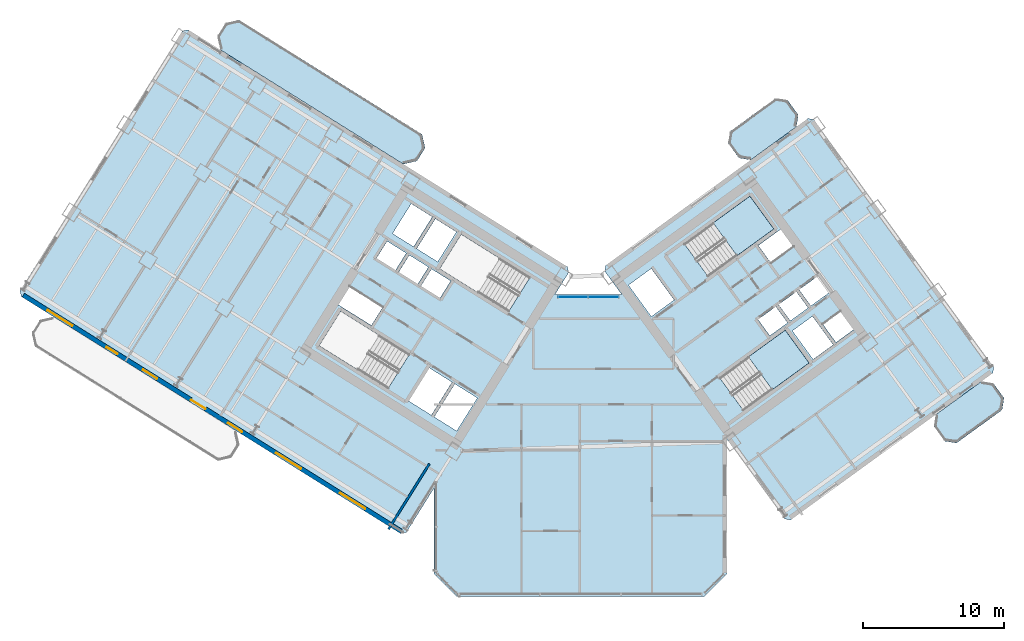
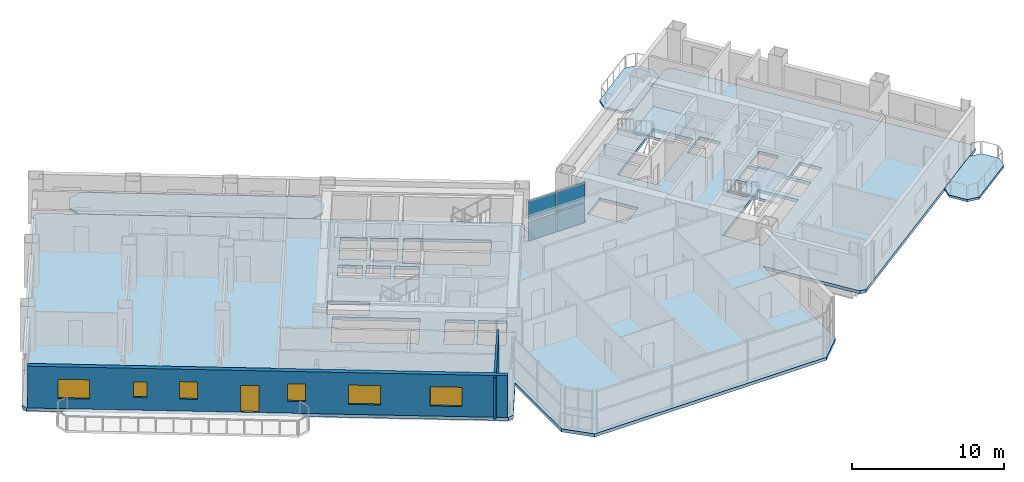
# One storey, part 14 of 24: 6 slabs, 6 windows, 4 plates, 2 walls, 1 door, 7 openings, 3 elements without a shape of their own.
"""IFC4 building model written with IfcOpenShell, lengths in metres."""

from ifc_helpers import new_model, si_unit, direction, frame, frame_2d, origin, origin_2d, place, context, subcontext, project, spatial, polyline, rectangle, outline, extrude, source, transform, mapped, material, layer, layer_set, type_object, element, fill, aggregate, save


model = new_model("IFC4")

# Units and contexts
model_context = context("Model", 3, precision=1e-05, world=origin(), true_north=direction((0.0, 1.0)))
body_context = subcontext(model_context, "Body", "Model", "MODEL_VIEW")
ifc_project = project(units=[si_unit("LENGTHUNIT", "METRE"), si_unit("AREAUNIT", "SQUARE_METRE"), si_unit("VOLUMEUNIT", "CUBIC_METRE"), si_unit("PLANEANGLEUNIT", "RADIAN"), si_unit("MASSUNIT", "GRAM", prefix="KILO")], contexts=[model_context])

# Site, building, storey
site_placement = place(None, origin())
site = spatial("IfcSite", under=ifc_project, at=site_placement, CompositionType="ELEMENT")
building_placement = place(site_placement, origin())
building = spatial("IfcBuilding", under=site, at=building_placement, Name="Tlacorven Tower", CompositionType="ELEMENT")
storey_placement = place(building_placement, frame((0.0, 0.0, 38.39990234375)))
storey = spatial("IfcBuildingStorey", under=building, at=storey_placement, Name="L09", CompositionType="ELEMENT", Elevation=38.39990234375)

# Slabs
ifc_material_1 = material(Name="Precast concrete C45/55", Category="concrete")
ifc_layer_1 = layer(ifc_material_1, 0.179931640625)
ifc_layer_set_1 = layer_set([ifc_layer_1], Name="Precast concrete C45/55")
slab_type_1 = type_object("IfcSlabType", Name="SL-BAL-180", PredefinedType="USERDEFINED", material=ifc_layer_set_1)
slab_1_placement = place(storey_placement, frame((0.0, 0.0, -0.179931640625)))
element("IfcSlab", 1, at=slab_1_placement, inside=storey, type_object=slab_type_1, Name="L09 West Wing Balcony Ribbon IN", ObjectType="BALCONY SLAB", PredefinedType="USERDEFINED", context=body_context, shape_type="SweptSolid", body=[
    extrude(outline(polyline([(30.756591796875, 34.57763671875), (17.781494140625, 42.685546875), (16.81689453125, 42.462890625), (16.236572265625, 41.5341796875), (16.459228515625, 40.569580078125), (29.434326171875, 32.4619140625), (30.39892578125, 32.6845703125), (30.979248046875, 33.613037109375), (30.756591796875, 34.57763671875)])), origin(), (0.0, 0.0, 1.0), 0.179931640625),
])
slab_2_placement = place(storey_placement, frame((0.0, 0.0, -0.179931640625)))
element("IfcSlab", 2, at=slab_2_placement, inside=storey, type_object=slab_type_1, Name="L09 East Wing Balcony Ribbon OUT", ObjectType="BALCONY SLAB", PredefinedType="USERDEFINED", context=body_context, shape_type="SweptSolid", body=[
    extrude(outline(polyline([(68.669921875, 12.678955078125), (71.906005859375, 15.0302734375), (72.03857421875, 15.8681640625), (71.27734375, 16.916015625), (70.439453125, 17.048583984375), (67.203369140625, 14.697509765625), (67.070556640625, 13.859375), (67.831787109375, 12.811767578125), (68.669921875, 12.678955078125)])), origin(), (0.0, 0.0, 1.0), 0.179931640625),
])
slab_3_placement = place(storey_placement, frame((0.0, 0.0, -0.179931640625)))
element("IfcSlab", 3, at=slab_3_placement, inside=storey, type_object=slab_type_1, Name="L09 East Wing Balcony Ribbon IN", ObjectType="BALCONY SLAB", PredefinedType="USERDEFINED", context=body_context, shape_type="SweptSolid", body=[
    extrude(outline(polyline([(54.078125, 32.762939453125), (57.314208984375, 35.114013671875), (57.44677734375, 35.9521484375), (56.685791015625, 36.999755859375), (55.84765625, 37.132568359375), (52.611572265625, 34.78125), (52.478759765625, 33.943359375), (53.239990234375, 32.8955078125), (54.078125, 32.762939453125)])), origin(), (0.0, 0.0, 1.0), 0.179931640625),
])

# Stair, slab
ifc_material_2 = material(Name="Concrete C40/50", Category="concrete")
stair_type = type_object("IfcStairType", Name="ST-CORE-DLG", PredefinedType="HALF_TURN_STAIR", material=ifc_material_2)
stair_1_placement = place(storey_placement, origin())
stair_1 = element("IfcStair", 4, at=stair_1_placement, inside=storey, type_object=stair_type, Name="L09 Protected Exit Stair East 1", PredefinedType="HALF_TURN_STAIR")
ifc_layer_2 = layer(ifc_material_2, 0.199951171875)
ifc_layer_set_2 = layer_set([ifc_layer_2], Name="Concrete C40/50")
slab_type_2 = type_object("IfcSlabType", Name="SL-LND-200", PredefinedType="LANDING", material=ifc_layer_set_2)
slab_4_placement = place(storey_placement, frame((0.0, 0.0, 1.60009765625)))
slab_4 = element("IfcSlab", 5, at=slab_4_placement, type_object=slab_type_2, Name="ST-E1 landing 1", PredefinedType="LANDING", context=body_context, shape_type="SweptSolid", body=[
    extrude(outline(polyline([(53.09765625, 25.962890625), (55.7109375, 27.861572265625), (54.01806640625, 30.19140625), (51.40478515625, 28.29296875), (53.09765625, 25.962890625)])), origin(), (0.0, 0.0, 1.0), 0.199951171875),
])
aggregate(stair_1, [slab_4])

stair_2_placement = place(storey_placement, origin())
stair_2 = element("IfcStair", 6, at=stair_2_placement, inside=storey, type_object=stair_type, Name="L09 Protected Exit Stair East 2", PredefinedType="HALF_TURN_STAIR")
slab_5_placement = place(storey_placement, frame((0.0, 0.0, 1.60009765625)))
slab_5 = element("IfcSlab", 7, at=slab_5_placement, type_object=slab_type_2, Name="ST-E2 landing 1", PredefinedType="LANDING", context=body_context, shape_type="SweptSolid", body=[
    extrude(outline(polyline([(55.601806640625, 16.4599609375), (58.21484375, 18.3583984375), (56.52197265625, 20.6884765625), (53.908935546875, 18.789794921875), (55.601806640625, 16.4599609375)])), origin(), (0.0, 0.0, 1.0), 0.199951171875),
])
aggregate(stair_2, [slab_5])

# Slab
ifc_layer_3 = layer(ifc_material_2, 0.25)
ifc_layer_set_3 = layer_set([ifc_layer_3], Name="Concrete C40/50")
slab_type_3 = type_object("IfcSlabType", Name="SL-TWR-250", PredefinedType="FLOOR", material=ifc_layer_set_3)
slab_6_placement = place(storey_placement, frame((0.0, 0.0, -0.25)))
element("IfcSlab", 8, at=slab_6_placement, inside=storey, type_object=slab_type_3, Name="L09 Boomerang Tower Floor Slab", PredefinedType="FLOOR", context=body_context, shape_type="SweptSolid", body=[
    extrude(outline(polyline([(52.39990234375, 3.39990234375), (50.800048828125, 1.800048828125), (33.199951171875, 1.800048828125), (31.60009765625, 3.39990234375), (31.60009765625, 9.470703125), (29.652587890625, 6.35400390625), (29.2392578125, 6.258544921875), (2.339111328125, 23.067626953125), (2.24365234375, 23.481201171875), (13.75341796875, 41.900634765625), (14.1669921875, 41.99609375), (41.06689453125, 25.18701171875), (41.162353515625, 24.773681640625), (40.178955078125, 23.199951171875), (44.932373046875, 23.199951171875), (43.723876953125, 24.86328125), (43.790283203125, 25.2822265625), (58.1259765625, 35.69775390625), (58.545166015625, 35.63134765625), (71.311767578125, 18.0595703125), (71.245361328125, 17.640380859375), (56.90966796875, 7.224853515625), (56.49072265625, 7.291259765625), (52.39990234375, 12.921630859375), (52.39990234375, 3.39990234375)]), holes=[polyline([(29.865478515625, 18.979736328125), (24.9892578125, 22.02685546875), (23.463134765625, 19.58447265625), (28.33935546875, 16.537353515625), (29.865478515625, 18.979736328125)]), polyline([(38.4169921875, 24.4375), (33.540771484375, 27.484375), (32.0146484375, 25.0419921875), (36.890869140625, 21.9951171875), (38.4169921875, 24.4375)]), polyline([(51.05908203125, 24.481689453125), (55.7109375, 27.861572265625), (54.01806640625, 30.19140625), (49.3662109375, 26.811767578125), (51.05908203125, 24.481689453125)]), polyline([(53.56298828125, 14.978759765625), (58.21484375, 18.3583984375), (56.52197265625, 20.6884765625), (51.8701171875, 17.30859375), (53.56298828125, 14.978759765625)]), polyline([(34.682373046875, 15.87548828125), (33.088134765625, 16.871826171875), (31.62548828125, 14.531005859375), (33.2197265625, 13.534912109375), (34.682373046875, 15.87548828125)]), polyline([(32.884521484375, 16.9990234375), (31.2392578125, 18.02685546875), (29.77685546875, 15.686279296875), (31.421875, 14.658203125), (32.884521484375, 16.9990234375)]), polyline([(47.0234375, 21.648681640625), (48.6416015625, 22.82421875), (47.019287109375, 25.05712890625), (45.401123046875, 23.881591796875), (47.0234375, 21.648681640625)]), polyline([(33.197265625, 27.65185546875), (31.704833984375, 28.58447265625), (30.3798828125, 26.46435546875), (31.87255859375, 25.53173828125), (33.197265625, 27.65185546875)]), polyline([(31.484375, 28.722412109375), (29.99169921875, 29.655029296875), (28.6669921875, 27.534912109375), (30.159423828125, 26.602294921875), (31.484375, 28.722412109375)]), polyline([(32.794921875, 24.17724609375), (31.43798828125, 25.025146484375), (30.685546875, 23.82080078125), (32.042236328125, 22.972900390625), (32.794921875, 24.17724609375)]), polyline([(31.217529296875, 25.162841796875), (29.860595703125, 26.0107421875), (29.108154296875, 24.806396484375), (30.465087890625, 23.958740234375), (31.217529296875, 25.162841796875)]), polyline([(29.64013671875, 26.1484375), (28.283203125, 26.996337890625), (27.53076171875, 25.792236328125), (28.8876953125, 24.9443359375), (29.64013671875, 26.1484375)]), polyline([(55.427734375, 20.288818359375), (56.68994140625, 21.205810546875), (55.855224609375, 22.354736328125), (54.59326171875, 21.437744140625), (55.427734375, 20.288818359375)]), polyline([(56.884033203125, 21.346923828125), (58.146240234375, 22.263916015625), (57.3115234375, 23.41259765625), (56.04931640625, 22.495849609375), (56.884033203125, 21.346923828125)]), polyline([(58.34033203125, 22.405029296875), (59.602294921875, 23.322021484375), (58.767578125, 24.470703125), (57.505615234375, 23.5537109375), (58.34033203125, 22.405029296875)]), polyline([(58.498779296875, 18.614013671875), (59.922607421875, 19.648681640625), (58.453125, 21.671142578125), (57.029296875, 20.63671875), (58.498779296875, 18.614013671875)]), polyline([(27.96142578125, 22.2919921875), (25.603759765625, 23.76513671875), (24.80908203125, 22.4931640625), (27.16650390625, 21.02001953125), (27.96142578125, 22.2919921875)]), polyline([(55.490478515625, 25.4765625), (57.092529296875, 26.640380859375), (56.210693359375, 27.85400390625), (54.60888671875, 26.690185546875), (55.490478515625, 25.4765625)]), polyline([(60.12109375, 19.817626953125), (61.38330078125, 20.734619140625), (60.45458984375, 22.012939453125), (59.192626953125, 21.095947265625), (60.12109375, 19.817626953125)])]), origin(), (0.0, 0.0, 1.0), 0.25),
])

# Curtain wall, plates
ifc_material_3 = material(Name="Dark solar low-E double glazing in aluminium frame", Category="aluminium")
curtain_wall_type = type_object("IfcCurtainWallType", Name="CW-TWR-LOW", PredefinedType="USERDEFINED", material=ifc_material_3)
curtain_wall_placement = place(storey_placement, origin())
curtain_wall = element("IfcCurtainWall", 9, at=curtain_wall_placement, inside=storey, type_object=curtain_wall_type, Name="L09 CW-TWR-LOW Curtain Wall 50", ObjectType="UNITISED CURTAIN WALL", PredefinedType="USERDEFINED")
ifc_material_4 = material(Name="Dark solar double low-E glazing", Category="glass")
ifc_layer_4 = layer(ifc_material_4, 0.031982421875)
ifc_layer_set_4 = layer_set([ifc_layer_4], Name="Dark solar double low-E glazing")
plate_type = type_object("IfcPlateType", Name="CWP-02", PredefinedType="CURTAIN_PANEL", material=ifc_layer_set_4)
shared_shape_1 = source(origin(), body_context, "Body", "SweptSolid", [
    extrude(rectangle(XDim=2.110595703125, YDim=0.031982421875, at=origin_2d()), origin(), (0.0, 0.0, 1.0), 1.552978515625),
])
plate_1_placement = place(storey_placement, frame((41.47802734375, 23.0400390625, 0.06103515625), z_axis=(0.0, 0.0, 1.0), x_axis=(1.0, 0.0, 0.0)))
plate_1 = element("IfcPlate", 10, at=plate_1_placement, type_object=plate_type, Name="CW-L09-050 Glazing Panel 1", PredefinedType="CURTAIN_PANEL", context=body_context, shape_type="MappedRepresentation", body=[
    mapped(shared_shape_1, transform((0.0, 0.0, 0.0), scale=1.0)),
])
plate_2_placement = place(storey_placement, frame((41.47802734375, 23.0400390625, 1.736328125), z_axis=(0.0, 0.0, 1.0), x_axis=(1.0, 0.0, 0.0)))
plate_2 = element("IfcPlate", 11, at=plate_2_placement, type_object=plate_type, Name="CW-L09-050 Glazing Panel 2", PredefinedType="CURTAIN_PANEL", context=body_context, shape_type="MappedRepresentation", body=[
    mapped(shared_shape_1, transform((0.0, 0.0, 0.0), scale=1.0)),
])
plate_3_placement = place(storey_placement, frame((43.640625, 23.0400390625, 0.06103515625), z_axis=(0.0, 0.0, 1.0), x_axis=(1.0, 0.0, 0.0)))
plate_3 = element("IfcPlate", 12, at=plate_3_placement, type_object=plate_type, Name="CW-L09-050 Glazing Panel 3", PredefinedType="CURTAIN_PANEL", context=body_context, shape_type="MappedRepresentation", body=[
    mapped(shared_shape_1, transform((0.0, 0.0, 0.0), scale=1.0)),
])
plate_4_placement = place(storey_placement, frame((43.640625, 23.0400390625, 1.736328125), z_axis=(0.0, 0.0, 1.0), x_axis=(1.0, 0.0, 0.0)))
plate_4 = element("IfcPlate", 13, at=plate_4_placement, type_object=plate_type, Name="CW-L09-050 Glazing Panel 4", PredefinedType="CURTAIN_PANEL", context=body_context, shape_type="MappedRepresentation", body=[
    mapped(shared_shape_1, transform((0.0, 0.0, 0.0), scale=1.0)),
])
aggregate(curtain_wall, [plate_1, plate_2, plate_3, plate_4])

# Wall
ifc_material_5 = material(Name="Gypsum plasterboard acoustic partition", Category="gypsum")
ifc_layer_5 = layer(ifc_material_5, 0.159912109375)
ifc_layer_set_5 = layer_set([ifc_layer_5], Name="Gypsum plasterboard acoustic partition")
wall_type_1 = type_object("IfcWallType", Name="WL-DEM-160", PredefinedType="PARTITIONING", material=ifc_layer_set_5)
wall_1_placement = place(storey_placement, frame((31.282470703125, 11.2080078125, 0.0), z_axis=(0.0, 0.0, 1.0), x_axis=(-0.529938869374, -0.84803584519, 0.0)))
element("IfcWall", 14, at=wall_1_placement, inside=storey, type_object=wall_type_1, Name="L09 WC West Throat Wall", PredefinedType="PARTITIONING", context=body_context, shape_type="SweptSolid", body=[
    extrude(rectangle(XDim=5.47998046875, YDim=0.159912109375, at=frame_2d((2.739990234375, 0.0))), origin(), (0.0, 0.0, 1.0), 3.340087890625),
])

# Wall, openings, door, windows
ifc_layer_6 = layer(ifc_material_1, 0.320068359375)
ifc_layer_set_6 = layer_set([ifc_layer_6], Name="Precast concrete C45/55")
wall_type_2 = type_object("IfcWallType", Name="WL-EXT-320", PredefinedType="STANDARD", material=ifc_layer_set_6)
wall_2_placement = place(storey_placement, frame((29.267822265625, 6.429443359375, 0.0), z_axis=(0.0, 0.0, 1.0), x_axis=(-0.848049971435, 0.529916263149, 0.0)))
wall_2 = element("IfcWall", 15, at=wall_2_placement, inside=storey, type_object=wall_type_2, Name="L09 Masonry-Frame Recessed Facade Wall 1", PredefinedType="STANDARD", context=body_context, shape_type="SweptSolid", body=[
    extrude(rectangle(XDim=31.587646484375, YDim=0.320068359375, at=frame_2d((15.7939453125, 0.0))), origin(), (0.0, 0.0, 1.0), 3.35009765625),
])
opening_1_placement = place(wall_2_placement, frame((16.36181640625, 0.0, 0.0)))
opening_1 = element("IfcOpeningElement", 16, at=opening_1_placement, cuts=wall_2, Name="Opening D05", PredefinedType="OPENING", context=body_context, shape_type="SweptSolid", body=[
    extrude(rectangle(XDim=1.199951171875, YDim=2.14990234375, at=frame_2d((0.60009765625, 1.074951171875))), frame((0.0, 0.169921875, 0.0), z_axis=(0.0, -1.0, 0.0), x_axis=(1.0, 0.0, 0.0)), (0.0, 0.0, 1.0), 0.340087890625),
])
opening_2_placement = place(wall_2_placement, frame((2.98876953125, 0.0, 0.800048828125)))
opening_2 = element("IfcOpeningElement", 17, at=opening_2_placement, cuts=wall_2, Name="Opening WN04", PredefinedType="OPENING", context=body_context, shape_type="SweptSolid", body=[
    extrude(rectangle(XDim=2.10009765625, YDim=1.550048828125, at=frame_2d((1.050048828125, 0.77490234375))), frame((0.0, 0.169921875, 0.0), z_axis=(0.0, -1.0, 0.0), x_axis=(1.0, 0.0, 0.0)), (0.0, 0.0, 1.0), 0.340087890625),
])
opening_3_placement = place(wall_2_placement, frame((8.358642578125, 0.0, 0.800048828125)))
opening_3 = element("IfcOpeningElement", 18, at=opening_3_placement, cuts=wall_2, Name="Opening WN04", PredefinedType="OPENING", context=body_context, shape_type="SweptSolid", body=[
    extrude(rectangle(XDim=2.10009765625, YDim=1.550048828125, at=frame_2d((1.050048828125, 0.77490234375))), frame((0.0, 0.169921875, 0.0), z_axis=(0.0, -1.0, 0.0), x_axis=(1.0, 0.0, 0.0)), (0.0, 0.0, 1.0), 0.340087890625),
])
opening_4_placement = place(wall_2_placement, frame((13.28369140625, 0.0, 0.949951171875)))
opening_4 = element("IfcOpeningElement", 19, at=opening_4_placement, cuts=wall_2, Name="Opening WN03", PredefinedType="OPENING", context=body_context, shape_type="SweptSolid", body=[
    extrude(rectangle(XDim=1.199951171875, YDim=1.39990234375, at=frame_2d((0.60009765625, 0.699951171875))), frame((0.0, 0.169921875, 0.0), z_axis=(0.0, -1.0, 0.0), x_axis=(1.0, 0.0, 0.0)), (0.0, 0.0, 1.0), 0.340087890625),
])
opening_5_placement = place(wall_2_placement, frame((20.39013671875, 0.0, 0.949951171875)))
opening_5 = element("IfcOpeningElement", 20, at=opening_5_placement, cuts=wall_2, Name="Opening WN03", PredefinedType="OPENING", context=body_context, shape_type="SweptSolid", body=[
    extrude(rectangle(XDim=1.199951171875, YDim=1.39990234375, at=frame_2d((0.60009765625, 0.699951171875))), frame((0.0, 0.169921875, 0.0), z_axis=(0.0, -1.0, 0.0), x_axis=(1.0, 0.0, 0.0)), (0.0, 0.0, 1.0), 0.340087890625),
])
opening_6_placement = place(wall_2_placement, frame((23.715087890625, 0.0, 1.0)))
opening_6 = element("IfcOpeningElement", 21, at=opening_6_placement, cuts=wall_2, Name="Opening WN05", PredefinedType="OPENING", context=body_context, shape_type="SweptSolid", body=[
    extrude(rectangle(XDim=0.89990234375, YDim=1.25, at=frame_2d((0.449951171875, 0.625))), frame((0.0, 0.169921875, 0.0), z_axis=(0.0, -1.0, 0.0), x_axis=(1.0, 0.0, 0.0)), (0.0, 0.0, 1.0), 0.340087890625),
])
opening_7_placement = place(wall_2_placement, frame((27.480712890625, 0.0, 0.800048828125)))
opening_7 = element("IfcOpeningElement", 22, at=opening_7_placement, cuts=wall_2, Name="Opening WN04", PredefinedType="OPENING", context=body_context, shape_type="SweptSolid", body=[
    extrude(rectangle(XDim=2.10009765625, YDim=1.550048828125, at=frame_2d((1.050048828125, 0.77490234375))), frame((0.0, 0.169921875, 0.0), z_axis=(0.0, -1.0, 0.0), x_axis=(1.0, 0.0, 0.0)), (0.0, 0.0, 1.0), 0.340087890625),
])
ifc_material_6 = material(Name="Powder-coated aluminium and timber door", Category="wood")
door_type = type_object("IfcDoorType", Name="DR-EXT-BALC-1200", OperationType="NOTDEFINED", PredefinedType="DOOR", material=ifc_material_6)
shared_shape_2 = source(origin(), body_context, "Body", "SweptSolid", [
    extrude(rectangle(XDim=1.199951171875, YDim=2.14990234375, at=frame_2d((0.60009765625, 1.074951171875))), frame((0.0, 0.02490234375, 0.0), z_axis=(0.0, -1.0, 0.0), x_axis=(1.0, 0.0, 0.0)), (0.0, 0.0, 1.0), 0.050048828125),
])
door_placement = place(opening_1_placement, origin())
door = element("IfcDoor", 23, at=door_placement, inside=storey, type_object=door_type, Name="L09 Outdoor Access Door BAL-L09-W-OUT", OperationType="SINGLE_SWING_LEFT", OverallHeight=2.14990234375, OverallWidth=1.199951171875, PredefinedType="DOOR", context=body_context, shape_type="MappedRepresentation", body=[
    mapped(shared_shape_2, transform((0.0, 0.0, 0.0), scale=1.0)),
])
fill(opening_1, door)
ifc_material_7 = material(Name="Dark solar low-E double glazing in anodised aluminium frame", Category="aluminium")
window_type_1 = type_object("IfcWindowType", Name="WN-APT-2100X1750", PartitioningType="SINGLE_PANEL", PredefinedType="WINDOW", material=ifc_material_7)
shared_shape_3 = source(origin(), body_context, "Body", "SweptSolid", [
    extrude(rectangle(XDim=2.10009765625, YDim=1.550048828125, at=frame_2d((1.050048828125, 0.77490234375))), frame((0.0, 0.030029296875, 0.0), z_axis=(0.0, -1.0, 0.0), x_axis=(1.0, 0.0, 0.0)), (0.0, 0.0, 1.0), 0.06005859375),
])
window_1_placement = place(opening_2_placement, origin())
window_1 = element("IfcWindow", 24, at=window_1_placement, inside=storey, type_object=window_type_1, Name="L09 Recessed Masonry-Frame Window L09-01.1", OverallHeight=1.550048828125, OverallWidth=2.10009765625, PartitioningType="SINGLE_PANEL", PredefinedType="WINDOW", context=body_context, shape_type="MappedRepresentation", body=[
    mapped(shared_shape_3, transform((0.0, 0.0, 0.0), scale=1.0)),
])
fill(opening_2, window_1)
window_2_placement = place(opening_3_placement, origin())
window_2 = element("IfcWindow", 25, at=window_2_placement, inside=storey, type_object=window_type_1, Name="L09 Recessed Masonry-Frame Window L09-01.2", OverallHeight=1.550048828125, OverallWidth=2.10009765625, PartitioningType="SINGLE_PANEL", PredefinedType="WINDOW", context=body_context, shape_type="MappedRepresentation", body=[
    mapped(shared_shape_3, transform((0.0, 0.0, 0.0), scale=1.0)),
])
fill(opening_3, window_2)
window_3_placement = place(opening_7_placement, origin())
window_3 = element("IfcWindow", 26, at=window_3_placement, inside=storey, type_object=window_type_1, Name="L09 Recessed Masonry-Frame Window L09-01.6", OverallHeight=1.550048828125, OverallWidth=2.10009765625, PartitioningType="SINGLE_PANEL", PredefinedType="WINDOW", context=body_context, shape_type="MappedRepresentation", body=[
    mapped(shared_shape_3, transform((0.0, 0.0, 0.0), scale=1.0)),
])
fill(opening_7, window_3)
window_type_2 = type_object("IfcWindowType", Name="WN-APT-1200X1500", PartitioningType="SINGLE_PANEL", PredefinedType="WINDOW", material=ifc_material_7)
shared_shape_4 = source(origin(), body_context, "Body", "SweptSolid", [
    extrude(rectangle(XDim=1.199951171875, YDim=1.39990234375, at=frame_2d((0.60009765625, 0.699951171875))), frame((0.0, 0.030029296875, 0.0), z_axis=(0.0, -1.0, 0.0), x_axis=(1.0, 0.0, 0.0)), (0.0, 0.0, 1.0), 0.06005859375),
])
window_4_placement = place(opening_4_placement, origin())
window_4 = element("IfcWindow", 27, at=window_4_placement, inside=storey, type_object=window_type_2, Name="L09 Recessed Masonry-Frame Window L09-01.3", OverallHeight=1.39990234375, OverallWidth=1.199951171875, PartitioningType="SINGLE_PANEL", PredefinedType="WINDOW", context=body_context, shape_type="MappedRepresentation", body=[
    mapped(shared_shape_4, transform((0.0, 0.0, 0.0), scale=1.0)),
])
fill(opening_4, window_4)
window_5_placement = place(opening_5_placement, origin())
window_5 = element("IfcWindow", 28, at=window_5_placement, inside=storey, type_object=window_type_2, Name="L09 Recessed Masonry-Frame Window L09-01.4", OverallHeight=1.39990234375, OverallWidth=1.199951171875, PartitioningType="SINGLE_PANEL", PredefinedType="WINDOW", context=body_context, shape_type="MappedRepresentation", body=[
    mapped(shared_shape_4, transform((0.0, 0.0, 0.0), scale=1.0)),
])
fill(opening_5, window_5)
window_type_3 = type_object("IfcWindowType", Name="WN-APT-0900X1350", PartitioningType="SINGLE_PANEL", PredefinedType="WINDOW", material=ifc_material_7)
shared_shape_5 = source(origin(), body_context, "Body", "SweptSolid", [
    extrude(rectangle(XDim=0.89990234375, YDim=1.25, at=frame_2d((0.449951171875, 0.625))), frame((0.0, 0.030029296875, 0.0), z_axis=(0.0, -1.0, 0.0), x_axis=(1.0, 0.0, 0.0)), (0.0, 0.0, 1.0), 0.06005859375),
])
window_6_placement = place(opening_6_placement, origin())
window_6 = element("IfcWindow", 29, at=window_6_placement, inside=storey, type_object=window_type_3, Name="L09 Recessed Masonry-Frame Window L09-01.5", OverallHeight=1.25, OverallWidth=0.89990234375, PartitioningType="SINGLE_PANEL", PredefinedType="WINDOW", context=body_context, shape_type="MappedRepresentation", body=[
    mapped(shared_shape_5, transform((0.0, 0.0, 0.0), scale=1.0)),
])
fill(opening_6, window_6)

save(model, "model.ifc")
